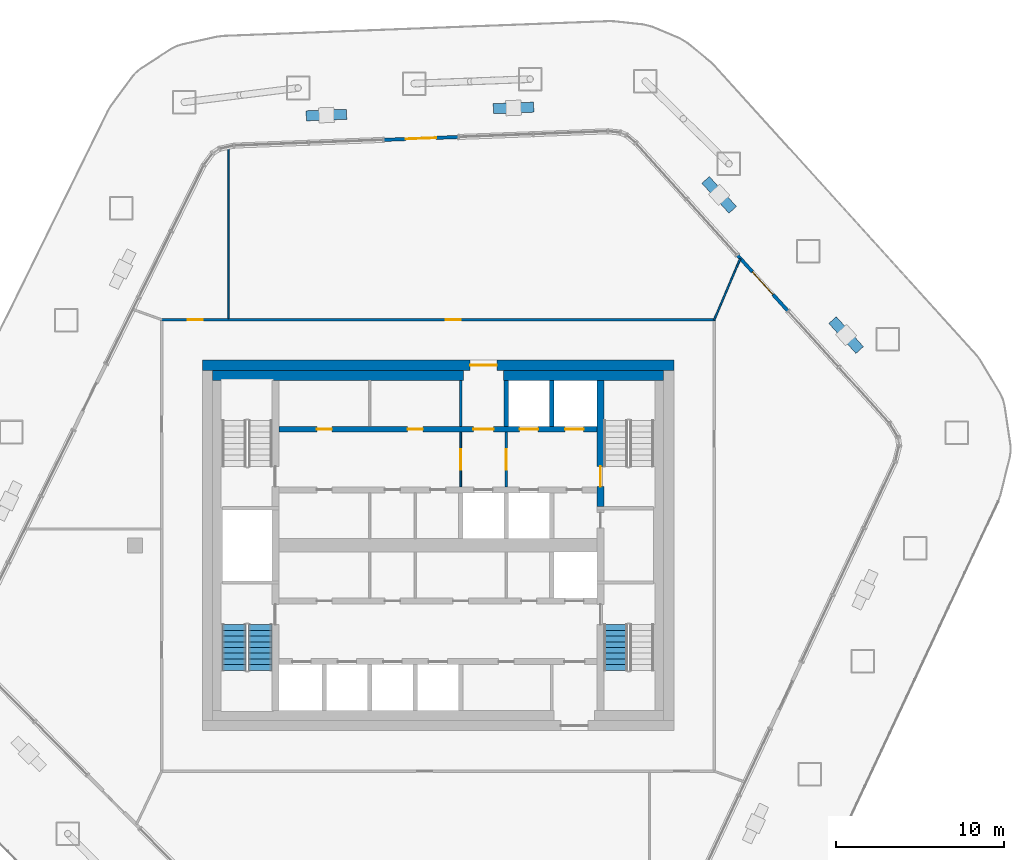
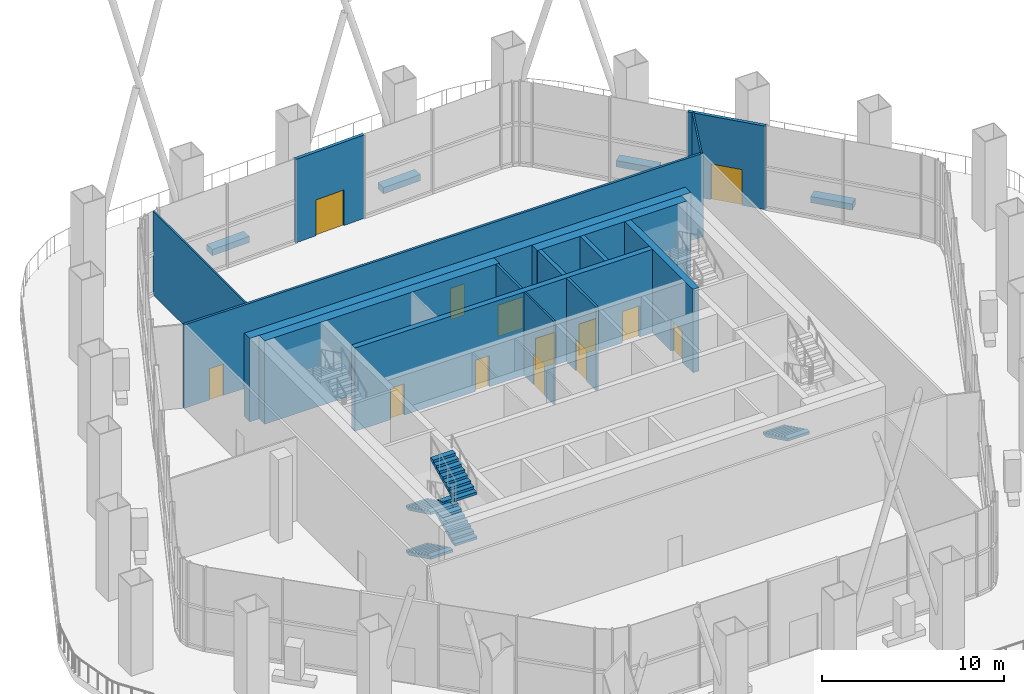
# One storey, part 14 of 20: 19 walls, 13 doors, 5 stair flights, 13 openings, 2 elements without a shape of their own.
"""IFC4 building model written with IfcOpenShell, lengths in metres."""

from ifc_helpers import new_model, si_unit, direction, frame, frame_2d, origin, place, context, subcontext, project, spatial, polyline, rectangle, outline, extrude, material, layer, layer_set, type_object, element, fill, aggregate, save


model = new_model("IFC4")

# Units and contexts
model_context = context("Model", 3, precision=1e-05, world=origin(), true_north=direction((0.0, 1.0)))
body_context = subcontext(model_context, "Body", "Model", "MODEL_VIEW")
ifc_project = project(units=[si_unit("LENGTHUNIT", "METRE"), si_unit("AREAUNIT", "SQUARE_METRE"), si_unit("VOLUMEUNIT", "CUBIC_METRE"), si_unit("PLANEANGLEUNIT", "RADIAN"), si_unit("MASSUNIT", "GRAM", prefix="KILO")], contexts=[model_context])

# Site, building, storey
site_placement = place(None, origin())
site = spatial("IfcSite", under=ifc_project, at=site_placement, CompositionType="ELEMENT")
building_placement = place(site_placement, origin())
building = spatial("IfcBuilding", under=site, at=building_placement, Name="Dongbaek Canopy Tower", CompositionType="ELEMENT")
storey_placement = place(building_placement, frame((0.0, 0.0, 353.0)))
storey = spatial("IfcBuildingStorey", under=building, at=storey_placement, Name="L76", CompositionType="ELEMENT", Elevation=353.0)

# Walls
ifc_material_1 = material(Name="Reinforced concrete C40/50 planter trough with soil", Category="concrete")
ifc_layer_1 = layer(ifc_material_1, 0.60009765625)
ifc_layer_set_1 = layer_set([ifc_layer_1], Name="Balcony planter trough")
wall_type_1 = type_object("IfcWallType", Name="Balcony planter trough", PredefinedType="SOLIDWALL", material=ifc_layer_set_1)
for number, where, z_axis, x_axis, name in (
    (1, (25.0400390625, 11.602294921875, 0.0), (0.0, 0.0, 1.0), (-0.671243577081, 0.741236844894, 0.0), "Deck planter L76 1"),
    (2, (17.5009765625, 19.92724609375, 0.0), (0.0, 0.0, 1.0), (-0.671299467497, 0.741186228244, 0.0), "Deck planter L76 2"),
    (3, (5.68359375, 26.027099609375, 0.0), (0.0, 0.0, 1.0), (-0.999268220076, -0.038249501247, 0.0), "Deck planter L76 3"),
    (4, (-5.426513671875, 25.60205078125, 0.0), (0.0, 0.0, 1.0), (-0.999268220076, -0.038249501247, 0.0), "Deck planter L76 4"),
):
    element("IfcWall", number, at=place(storey_placement, frame(where, z_axis=z_axis, x_axis=x_axis)), inside=storey, type_object=wall_type_1, Name=name, PredefinedType="SOLIDWALL", context=body_context, shape_type="SweptSolid", body=[
        extrude(rectangle(XDim=2.39990234375, YDim=0.60009765625, at=frame_2d((1.199951171875, 0.0))), origin(), (0.0, 0.0, 1.0), 0.419921875),
    ])

# Wall, openings, doors
ifc_material_2 = material(Name="Concrete C60/75", Category="concrete")
ifc_layer_2 = layer(ifc_material_2, 0.35009765625)
ifc_layer_set_2 = layer_set([ifc_layer_2], Name="Core lobby wall 350 Concrete C60/75")
wall_type_2 = type_object("IfcWallType", Name="Core lobby wall 350 Concrete C60/75", PredefinedType="SHEAR", material=ifc_layer_set_2)
wall_1_placement = place(storey_placement, frame((-9.449951171875, 6.89990234375, 0.0), z_axis=(0.0, 0.0, 1.0), x_axis=(1.0, 0.0, 0.0)))
wall_1 = element("IfcWall", 5, at=wall_1_placement, inside=storey, type_object=wall_type_2, Name="Core wall", PredefinedType="SHEAR", context=body_context, shape_type="SweptSolid", body=[
    extrude(rectangle(XDim=18.89990234375, YDim=0.35009765625, at=frame_2d((9.449951171875, 0.0))), origin(), (0.0, 0.0, 1.0), 5.60009765625),
])
opening_1_placement = place(wall_1_placement, frame((11.550048828125, 0.0, 0.0)))
opening_1 = element("IfcOpeningElement", 6, at=opening_1_placement, cuts=wall_1, Name="Opening L76-D010", PredefinedType="OPENING", context=body_context, shape_type="SweptSolid", body=[
    extrude(rectangle(XDim=1.199951171875, YDim=2.10009765625, at=frame_2d((0.60009765625, 1.050048828125))), frame((0.0, 0.18505859375, 0.0), z_axis=(0.0, -1.0, 0.0), x_axis=(1.0, 0.0, 0.0)), (0.0, 0.0, 1.0), 0.3701171875),
])
opening_2_placement = place(wall_1_placement, frame((14.300048828125, 0.0, 0.0)))
opening_2 = element("IfcOpeningElement", 7, at=opening_2_placement, cuts=wall_1, Name="Opening L76-D011", PredefinedType="OPENING", context=body_context, shape_type="SweptSolid", body=[
    extrude(rectangle(XDim=1.10009765625, YDim=2.10009765625, at=frame_2d((0.550048828125, 1.050048828125))), frame((0.0, 0.18505859375, 0.0), z_axis=(0.0, -1.0, 0.0), x_axis=(1.0, 0.0, 0.0)), (0.0, 0.0, 1.0), 0.3701171875),
])
opening_3_placement = place(wall_1_placement, frame((17.0, 0.0, 0.0)))
opening_3 = element("IfcOpeningElement", 8, at=opening_3_placement, cuts=wall_1, Name="Opening L76-D012", PredefinedType="OPENING", context=body_context, shape_type="SweptSolid", body=[
    extrude(rectangle(XDim=1.10009765625, YDim=2.10009765625, at=frame_2d((0.550048828125, 1.050048828125))), frame((0.0, 0.18505859375, 0.0), z_axis=(0.0, -1.0, 0.0), x_axis=(1.0, 0.0, 0.0)), (0.0, 0.0, 1.0), 0.3701171875),
])
opening_4_placement = place(wall_1_placement, frame((2.25, 0.0, 0.0)))
opening_4 = element("IfcOpeningElement", 9, at=opening_4_placement, cuts=wall_1, Name="Opening L76-D023", PredefinedType="OPENING", context=body_context, shape_type="SweptSolid", body=[
    extrude(rectangle(XDim=0.89990234375, YDim=2.10009765625, at=frame_2d((0.449951171875, 1.050048828125))), frame((0.0, 0.18505859375, 0.0), z_axis=(0.0, -1.0, 0.0), x_axis=(1.0, 0.0, 0.0)), (0.0, 0.0, 1.0), 0.3701171875),
])
opening_5_placement = place(wall_1_placement, frame((7.64990234375, 0.0, 0.0)))
opening_5 = element("IfcOpeningElement", 10, at=opening_5_placement, cuts=wall_1, Name="Opening L76-D024", PredefinedType="OPENING", context=body_context, shape_type="SweptSolid", body=[
    extrude(rectangle(XDim=0.89990234375, YDim=2.10009765625, at=frame_2d((0.449951171875, 1.050048828125))), frame((0.0, 0.18505859375, 0.0), z_axis=(0.0, -1.0, 0.0), x_axis=(1.0, 0.0, 0.0)), (0.0, 0.0, 1.0), 0.3701171875),
])
ifc_material_3 = material(Name="Steel", Category="steel")
door_type_1 = type_object("IfcDoorType", Name="Core room door 900 x 2100", OperationType="SINGLE_SWING_LEFT", PredefinedType="DOOR", material=ifc_material_3)
door_1_placement = place(opening_4_placement, origin())
door_1 = element("IfcDoor", 11, at=door_1_placement, inside=storey, type_object=door_type_1, Name="Door L76-D023", OperationType="SINGLE_SWING_RIGHT", OverallHeight=2.10009765625, OverallWidth=0.89990234375, PredefinedType="DOOR", context=body_context, shape_type="SweptSolid", body=[
    extrude(rectangle(XDim=0.89990234375, YDim=2.10009765625, at=frame_2d((0.449951171875, 1.050048828125))), frame((0.0, 0.02490234375, 0.0), z_axis=(0.0, -1.0, 0.0), x_axis=(1.0, 0.0, 0.0)), (0.0, 0.0, 1.0), 0.050048828125),
])
fill(opening_4, door_1)
door_2_placement = place(opening_5_placement, origin())
door_2 = element("IfcDoor", 12, at=door_2_placement, inside=storey, type_object=door_type_1, Name="Door L76-D024", OperationType="SINGLE_SWING_LEFT", OverallHeight=2.10009765625, OverallWidth=0.89990234375, PredefinedType="DOOR", context=body_context, shape_type="SweptSolid", body=[
    extrude(rectangle(XDim=0.89990234375, YDim=2.10009765625, at=frame_2d((0.449951171875, 1.050048828125))), frame((0.0, 0.02490234375, 0.0), z_axis=(0.0, -1.0, 0.0), x_axis=(1.0, 0.0, 0.0)), (0.0, 0.0, 1.0), 0.050048828125),
])
fill(opening_5, door_2)
ifc_material_4 = material(Name="Steel", Category="steel")
door_type_2 = type_object("IfcDoorType", Name="Fire lobby door 1200 x 2100", OperationType="SINGLE_SWING_LEFT", PredefinedType="DOOR", material=ifc_material_4)
door_3_placement = place(opening_1_placement, origin())
door_3 = element("IfcDoor", 13, at=door_3_placement, inside=storey, type_object=door_type_2, Name="Door L76-D010", OperationType="SINGLE_SWING_LEFT", OverallHeight=2.10009765625, OverallWidth=1.199951171875, PredefinedType="DOOR", context=body_context, shape_type="SweptSolid", body=[
    extrude(rectangle(XDim=1.199951171875, YDim=2.10009765625, at=frame_2d((0.60009765625, 1.050048828125))), frame((0.0, 0.02490234375, 0.0), z_axis=(0.0, -1.0, 0.0), x_axis=(1.0, 0.0, 0.0)), (0.0, 0.0, 1.0), 0.050048828125),
])
fill(opening_1, door_3)
ifc_material_5 = material(Name="Stainless steel", Category="steel")
door_type_3 = type_object("IfcDoorType", Name="Lift landing door 1100 x 2100", OperationType="DOUBLE_DOOR_SLIDING", PredefinedType="DOOR", material=ifc_material_5)
door_4_placement = place(opening_2_placement, origin())
door_4 = element("IfcDoor", 14, at=door_4_placement, inside=storey, type_object=door_type_3, Name="Landing door FF1", OperationType="DOUBLE_DOOR_SLIDING", OverallHeight=2.10009765625, OverallWidth=1.10009765625, PredefinedType="DOOR", context=body_context, shape_type="SweptSolid", body=[
    extrude(rectangle(XDim=1.10009765625, YDim=2.10009765625, at=frame_2d((0.550048828125, 1.050048828125))), frame((0.0, 0.02490234375, 0.0), z_axis=(0.0, -1.0, 0.0), x_axis=(1.0, 0.0, 0.0)), (0.0, 0.0, 1.0), 0.050048828125),
])
fill(opening_2, door_4)
door_5_placement = place(opening_3_placement, origin())
door_5 = element("IfcDoor", 15, at=door_5_placement, inside=storey, type_object=door_type_3, Name="Landing door FF2", OperationType="DOUBLE_DOOR_SLIDING", OverallHeight=2.10009765625, OverallWidth=1.10009765625, PredefinedType="DOOR", context=body_context, shape_type="SweptSolid", body=[
    extrude(rectangle(XDim=1.10009765625, YDim=2.10009765625, at=frame_2d((0.550048828125, 1.050048828125))), frame((0.0, 0.02490234375, 0.0), z_axis=(0.0, -1.0, 0.0), x_axis=(1.0, 0.0, 0.0)), (0.0, 0.0, 1.0), 0.050048828125),
])
fill(opening_3, door_5)

# Wall, opening, door
ifc_material_6 = material(Name="Concrete C80/95", Category="concrete")
ifc_layer_3 = layer(ifc_material_6, 0.60009765625)
ifc_layer_set_3 = layer_set([ifc_layer_3], Name="Core outer wall 600 Concrete C80/95")
wall_type_3 = type_object("IfcWallType", Name="Core outer wall 600 Concrete C80/95", PredefinedType="SHEAR", material=ifc_layer_set_3)
wall_2_placement = place(storey_placement, frame((-14.0, 10.699951171875, 0.0), z_axis=(0.0, 0.0, 1.0), x_axis=(1.0, 0.0, 0.0)))
wall_2 = element("IfcWall", 16, at=wall_2_placement, inside=storey, type_object=wall_type_3, Name="Core wall", PredefinedType="SHEAR", context=body_context, shape_type="SweptSolid", body=[
    extrude(rectangle(XDim=28.0, YDim=0.60009765625, at=frame_2d((14.0, 0.0))), origin(), (0.0, 0.0, 1.0), 5.60009765625),
])
opening_6_placement = place(wall_2_placement, frame((15.89990234375, 0.0, 0.0)))
opening_6 = element("IfcOpeningElement", 17, at=opening_6_placement, cuts=wall_2, Name="Opening L76-D009", PredefinedType="OPENING", context=body_context, shape_type="SweptSolid", body=[
    extrude(rectangle(XDim=1.60009765625, YDim=2.10009765625, at=frame_2d((0.800048828125, 1.050048828125))), frame((0.0, 0.31005859375, 0.0), z_axis=(0.0, -1.0, 0.0), x_axis=(1.0, 0.0, 0.0)), (0.0, 0.0, 1.0), 0.6201171875),
])
ifc_material_7 = material(Name="Steel", Category="steel")
door_type_4 = type_object("IfcDoorType", Name="Core exit door 1600 x 2100", OperationType="DOUBLE_DOOR_SINGLE_SWING", PredefinedType="DOOR", material=ifc_material_7)
door_6_placement = place(opening_6_placement, origin())
door_6 = element("IfcDoor", 18, at=door_6_placement, inside=storey, type_object=door_type_4, Name="Core exit door", OperationType="DOUBLE_DOOR_SINGLE_SWING", OverallHeight=2.10009765625, OverallWidth=1.60009765625, PredefinedType="DOOR", context=body_context, shape_type="SweptSolid", body=[
    extrude(rectangle(XDim=1.60009765625, YDim=2.10009765625, at=frame_2d((0.800048828125, 1.050048828125))), frame((0.0, 0.02490234375, 0.0), z_axis=(0.0, -1.0, 0.0), x_axis=(1.0, 0.0, 0.0)), (0.0, 0.0, 1.0), 0.050048828125),
])
fill(opening_6, door_6)

# Walls
ifc_material_8 = material(Name="Concrete C60/75", Category="concrete")
ifc_layer_4 = layer(ifc_material_8, 0.60009765625)
ifc_layer_set_4 = layer_set([ifc_layer_4], Name="Core wall lining 600 Concrete C60/75")
wall_type_4 = type_object("IfcWallType", Name="Core wall lining 600 Concrete C60/75", PredefinedType="SHEAR", material=ifc_layer_set_4)
wall_3_placement = place(storey_placement, frame((-13.39990234375, 10.10009765625, 0.0), z_axis=(0.0, 0.0, 1.0), x_axis=(1.0, 0.0, 0.0)))
element("IfcWall", 19, at=wall_3_placement, inside=storey, type_object=wall_type_4, Name="Core wall lining", PredefinedType="SHEAR", context=body_context, shape_type="SweptSolid", body=[
    extrude(rectangle(XDim=14.89990234375, YDim=0.60009765625, at=frame_2d((7.449951171875, 0.0))), origin(), (0.0, 0.0, 1.0), 5.60009765625),
])
wall_4_placement = place(storey_placement, frame((3.89990234375, 10.10009765625, 0.0), z_axis=(0.0, 0.0, 1.0), x_axis=(1.0, 0.0, 0.0)))
element("IfcWall", 20, at=wall_4_placement, inside=storey, type_object=wall_type_4, Name="Core wall lining", PredefinedType="SHEAR", context=body_context, shape_type="SweptSolid", body=[
    extrude(rectangle(XDim=9.5, YDim=0.60009765625, at=frame_2d((4.75, 0.0))), origin(), (0.0, 0.0, 1.0), 5.60009765625),
])

# Wall, opening, door
ifc_material_9 = material(Name="Aluminium window wall", Category="aluminium")
ifc_layer_5 = layer(ifc_material_9, 0.199951171875)
ifc_layer_set_5 = layer_set([ifc_layer_5], Name="Entrance wall 200")
wall_type_5 = type_object("IfcWallType", Name="Entrance wall 200", PredefinedType="SOLIDWALL", material=ifc_layer_set_5)
wall_5_placement = place(storey_placement, frame((17.771240234375, 17.2451171875, 0.0), z_axis=(0.0, 0.0, 1.0), x_axis=(0.67127041935, -0.741212536392, 0.0)))
wall_5 = element("IfcWall", 21, at=wall_5_placement, inside=storey, type_object=wall_type_5, Name="Lounge entrance wall F0 3", PredefinedType="SOLIDWALL", context=body_context, shape_type="SweptSolid", body=[
    extrude(rectangle(XDim=4.492431640625, YDim=0.199951171875, at=frame_2d((2.24609375, 0.0))), origin(), (0.0, 0.0, 1.0), 5.60009765625),
])
opening_7_placement = place(wall_5_placement, frame((1.34619140625, 0.0, 0.0)))
opening_7 = element("IfcOpeningElement", 22, at=opening_7_placement, cuts=wall_5, Name="Opening L76-D973", PredefinedType="OPENING", context=body_context, shape_type="SweptSolid", body=[
    extrude(rectangle(XDim=1.800048828125, YDim=2.39990234375, at=frame_2d((0.89990234375, 1.199951171875))), frame((0.0, 0.10986328125, 0.0), z_axis=(0.0, -1.0, 0.0), x_axis=(1.0, 0.0, 0.0)), (0.0, 0.0, 1.0), 0.219970703125),
])
ifc_material_10 = material(Name="Clear glazing in aluminium frame", Category="aluminium")
door_type_5 = type_object("IfcDoorType", Name="Lounge door LD1 1800 x 2400", OperationType="DOUBLE_DOOR_SINGLE_SWING", PredefinedType="DOOR", material=ifc_material_10)
door_7_placement = place(opening_7_placement, origin())
door_7 = element("IfcDoor", 23, at=door_7_placement, inside=storey, type_object=door_type_5, Name="Deck door L76-D973", OperationType="SINGLE_SWING_LEFT", OverallHeight=2.39990234375, OverallWidth=1.800048828125, PredefinedType="DOOR", context=body_context, shape_type="SweptSolid", body=[
    extrude(rectangle(XDim=1.800048828125, YDim=2.39990234375, at=frame_2d((0.89990234375, 1.199951171875))), frame((0.0, 0.02490234375, 0.0), z_axis=(0.0, -1.0, 0.0), x_axis=(1.0, 0.0, 0.0)), (0.0, 0.0, 1.0), 0.050048828125),
])
fill(opening_7, door_7)

wall_6_placement = place(storey_placement, frame((-3.2314453125, 24.084716796875, 0.0), z_axis=(0.0, 0.0, 1.0), x_axis=(0.999267728071, 0.038262352715, 0.0)))
wall_6 = element("IfcWall", 24, at=wall_6_placement, inside=storey, type_object=wall_type_5, Name="Lounge entrance wall F1 3", PredefinedType="SOLIDWALL", context=body_context, shape_type="SweptSolid", body=[
    extrude(rectangle(XDim=4.447265625, YDim=0.199951171875, at=frame_2d((2.2236328125, 0.0))), origin(), (0.0, 0.0, 1.0), 5.60009765625),
])
opening_8_placement = place(wall_6_placement, frame((1.32373046875, 0.0, 0.0)))
opening_8 = element("IfcOpeningElement", 25, at=opening_8_placement, cuts=wall_6, Name="Opening L76-D974", PredefinedType="OPENING", context=body_context, shape_type="SweptSolid", body=[
    extrude(rectangle(XDim=1.800048828125, YDim=2.39990234375, at=frame_2d((0.89990234375, 1.199951171875))), frame((0.0, 0.10986328125, 0.0), z_axis=(0.0, -1.0, 0.0), x_axis=(1.0, 0.0, 0.0)), (0.0, 0.0, 1.0), 0.219970703125),
])
door_8_placement = place(opening_8_placement, origin())
door_8 = element("IfcDoor", 26, at=door_8_placement, inside=storey, type_object=door_type_5, Name="Deck door L76-D974", OperationType="SINGLE_SWING_LEFT", OverallHeight=2.39990234375, OverallWidth=1.800048828125, PredefinedType="DOOR", context=body_context, shape_type="SweptSolid", body=[
    extrude(rectangle(XDim=1.800048828125, YDim=2.39990234375, at=frame_2d((0.89990234375, 1.199951171875))), frame((0.0, 0.02490234375, 0.0), z_axis=(0.0, -1.0, 0.0), x_axis=(1.0, 0.0, 0.0)), (0.0, 0.0, 1.0), 0.050048828125),
])
fill(opening_8, door_8)

# Wall, openings, doors
ifc_material_11 = material(Name="Gypsum board partition, steel stud, 2 x 15 mm fire board", Category="steel")
ifc_layer_6 = layer(ifc_material_11, 0.14990234375)
ifc_layer_set_6 = layer_set([ifc_layer_6], Name="Fire-rated partition 150 gypsum board")
wall_type_6 = type_object("IfcWallType", Name="Fire-rated partition 150 gypsum board", PredefinedType="PARTITIONING", material=ifc_layer_set_6)
wall_7_placement = place(storey_placement, frame((-16.47509765625, 13.39990234375, 0.0), z_axis=(0.0, 0.0, 1.0), x_axis=(1.0, 0.0, 0.0)))
wall_7 = element("IfcWall", 27, at=wall_7_placement, inside=storey, type_object=wall_type_6, Name="Corridor partition", PredefinedType="PARTITIONING", context=body_context, shape_type="SweptSolid", body=[
    extrude(rectangle(XDim=32.9501953125, YDim=0.14990234375, at=frame_2d((16.47509765625, 0.0))), origin(), (0.0, 0.0, 1.0), 5.60009765625),
])
opening_9_placement = place(wall_7_placement, frame((16.925537109375, 0.0, 0.0)))
opening_9 = element("IfcOpeningElement", 28, at=opening_9_placement, cuts=wall_7, Name="Opening L76-D005", PredefinedType="OPENING", context=body_context, shape_type="SweptSolid", body=[
    extrude(rectangle(XDim=0.89990234375, YDim=2.10009765625, at=frame_2d((0.449951171875, 1.050048828125))), frame((0.0, 0.0849609375, 0.0), z_axis=(0.0, -1.0, 0.0), x_axis=(1.0, 0.0, 0.0)), (0.0, 0.0, 1.0), 0.169921875),
])
opening_10_placement = place(wall_7_placement, frame((1.600341796875, 0.0, 0.0)))
opening_10 = element("IfcOpeningElement", 29, at=opening_10_placement, cuts=wall_7, Name="Opening L76-D006", PredefinedType="OPENING", context=body_context, shape_type="SweptSolid", body=[
    extrude(rectangle(XDim=0.89990234375, YDim=2.10009765625, at=frame_2d((0.449951171875, 1.050048828125))), frame((0.0, 0.0849609375, 0.0), z_axis=(0.0, -1.0, 0.0), x_axis=(1.0, 0.0, 0.0)), (0.0, 0.0, 1.0), 0.169921875),
])
ifc_material_12 = material(Name="Timber veneered door leaf", Category="wood")
door_type_6 = type_object("IfcDoorType", Name="Room door 900 x 2100", OperationType="SINGLE_SWING_LEFT", PredefinedType="DOOR", material=ifc_material_12)
door_9_placement = place(opening_9_placement, origin())
door_9 = element("IfcDoor", 30, at=door_9_placement, inside=storey, type_object=door_type_6, Name="Door L76-D005", OperationType="SINGLE_SWING_RIGHT", OverallHeight=2.10009765625, OverallWidth=0.89990234375, PredefinedType="DOOR", context=body_context, shape_type="SweptSolid", body=[
    extrude(rectangle(XDim=0.89990234375, YDim=2.10009765625, at=frame_2d((0.449951171875, 1.050048828125))), frame((0.0, 0.02490234375, 0.0), z_axis=(0.0, -1.0, 0.0), x_axis=(1.0, 0.0, 0.0)), (0.0, 0.0, 1.0), 0.050048828125),
])
fill(opening_9, door_9)
door_10_placement = place(opening_10_placement, origin())
door_10 = element("IfcDoor", 31, at=door_10_placement, inside=storey, type_object=door_type_6, Name="Door L76-D006", OperationType="SINGLE_SWING_LEFT", OverallHeight=2.10009765625, OverallWidth=0.89990234375, PredefinedType="DOOR", context=body_context, shape_type="SweptSolid", body=[
    extrude(rectangle(XDim=0.89990234375, YDim=2.10009765625, at=frame_2d((0.449951171875, 1.050048828125))), frame((0.0, 0.02490234375, 0.0), z_axis=(0.0, -1.0, 0.0), x_axis=(1.0, 0.0, 0.0)), (0.0, 0.0, 1.0), 0.050048828125),
])
fill(opening_10, door_10)

# Wall, opening, door
wall_8_placement = place(storey_placement, frame((4.050048828125, 6.72509765625, 0.0), z_axis=(0.0, 0.0, 1.0), x_axis=(0.0, -1.0, 0.0)))
wall_8 = element("IfcWall", 32, at=wall_8_placement, inside=storey, type_object=wall_type_6, Name="Fire lobby partition", PredefinedType="PARTITIONING", context=body_context, shape_type="SweptSolid", body=[
    extrude(rectangle(XDim=3.25, YDim=0.14990234375, at=frame_2d((1.625, 0.0))), origin(), (0.0, 0.0, 1.0), 5.60009765625),
])
opening_11_placement = place(wall_8_placement, frame((1.02490234375, 0.0, 0.0)))
opening_11 = element("IfcOpeningElement", 33, at=opening_11_placement, cuts=wall_8, Name="Opening L76-D038", PredefinedType="OPENING", context=body_context, shape_type="SweptSolid", body=[
    extrude(rectangle(XDim=1.199951171875, YDim=2.10009765625, at=frame_2d((0.60009765625, 1.050048828125))), frame((0.0, 0.0849609375, 0.0), z_axis=(0.0, -1.0, 0.0), x_axis=(1.0, 0.0, 0.0)), (0.0, 0.0, 1.0), 0.169921875),
])
door_11_placement = place(opening_11_placement, origin())
door_11 = element("IfcDoor", 34, at=door_11_placement, inside=storey, type_object=door_type_2, Name="Door L76-D038", OperationType="SINGLE_SWING_RIGHT", OverallHeight=2.10009765625, OverallWidth=1.199951171875, PredefinedType="DOOR", context=body_context, shape_type="SweptSolid", body=[
    extrude(rectangle(XDim=1.199951171875, YDim=2.10009765625, at=frame_2d((0.60009765625, 1.050048828125))), frame((0.0, 0.02490234375, 0.0), z_axis=(0.0, -1.0, 0.0), x_axis=(1.0, 0.0, 0.0)), (0.0, 0.0, 1.0), 0.050048828125),
])
fill(opening_11, door_11)

# Walls
wall_9_placement = place(storey_placement, frame((1.35009765625, 7.074951171875, 0.0), z_axis=(0.0, 0.0, 1.0), x_axis=(0.0, 1.0, 0.0)))
element("IfcWall", 35, at=wall_9_placement, inside=storey, type_object=wall_type_6, Name="Fire lobby partition", PredefinedType="PARTITIONING", context=body_context, shape_type="SweptSolid", body=[
    extrude(rectangle(XDim=2.72509765625, YDim=0.14990234375, at=frame_2d((1.362548828125, 0.0))), origin(), (0.0, 0.0, 1.0), 5.60009765625),
])
ifc_material_13 = material(Name="Concrete C40/50", Category="concrete")
ifc_layer_7 = layer(ifc_material_13, 0.25)
ifc_layer_set_7 = layer_set([ifc_layer_7], Name="Lift shaft wall 250 Concrete C40/50")
wall_type_7 = type_object("IfcWallType", Name="Lift shaft wall 250 Concrete C40/50", PredefinedType="SOLIDWALL", material=ifc_layer_set_7)
for number, where, z_axis, x_axis, name in (
    (36, (6.75, 7.074951171875, 0.0), (0.0, 0.0, 1.0), (0.0, 1.0, 0.0), "Lift shaft wall"),
    (37, (4.050048828125, 7.074951171875, 0.0), (0.0, 0.0, 1.0), (0.0, 1.0, 0.0), "Lift shaft wall"),
):
    element("IfcWall", number, at=place(storey_placement, frame(where, z_axis=z_axis, x_axis=x_axis)), inside=storey, type_object=wall_type_7, Name=name, PredefinedType="SOLIDWALL", context=body_context, shape_type="SweptSolid", body=[
        extrude(rectangle(XDim=2.72509765625, YDim=0.25, at=frame_2d((1.362548828125, 0.0))), origin(), (0.0, 0.0, 1.0), 5.60009765625),
    ])
ifc_material_14 = material(Name="Gypsum board partition, steel stud, 2 x 12.5 mm board", Category="steel")
ifc_layer_8 = layer(ifc_material_14, 0.10009765625)
ifc_layer_set_8 = layer_set([ifc_layer_8], Name="Partition 100 gypsum board")
wall_type_8 = type_object("IfcWallType", Name="Partition 100 gypsum board", PredefinedType="PARTITIONING", material=ifc_layer_set_8)
wall_10_placement = place(storey_placement, frame((16.400146484375, 13.39990234375, 0.0), z_axis=(0.0, 0.0, 1.0), x_axis=(0.392341578788, 0.919819594026, 0.0)))
element("IfcWall", 38, at=wall_10_placement, inside=storey, type_object=wall_type_8, Name="Partition", PredefinedType="PARTITIONING", context=body_context, shape_type="SweptSolid", body=[
    extrude(rectangle(XDim=3.942138671875, YDim=0.10009765625, at=frame_2d((1.97119140625, 0.0))), origin(), (0.0, 0.0, 1.0), 5.60009765625),
])
wall_11_placement = place(storey_placement, frame((-12.448974609375, 13.47509765625, 0.0), z_axis=(0.0, 0.0, 1.0), x_axis=(0.0, 1.0, 0.0)))
element("IfcWall", 39, at=wall_11_placement, inside=storey, type_object=wall_type_8, Name="Partition", PredefinedType="PARTITIONING", context=body_context, shape_type="SweptSolid", body=[
    extrude(rectangle(XDim=10.1748046875, YDim=0.10009765625, at=frame_2d((5.08740234375, 0.0))), origin(), (0.0, 0.0, 1.0), 5.60009765625),
])

# Wall, opening, door
wall_12_placement = place(storey_placement, frame((1.35009765625, 6.72509765625, 0.0), z_axis=(0.0, 0.0, 1.0), x_axis=(0.0, -1.0, 0.0)))
wall_12 = element("IfcWall", 40, at=wall_12_placement, inside=storey, type_object=wall_type_8, Name="Core partition", PredefinedType="PARTITIONING", context=body_context, shape_type="SweptSolid", body=[
    extrude(rectangle(XDim=3.25, YDim=0.10009765625, at=frame_2d((1.625, 0.0))), origin(), (0.0, 0.0, 1.0), 5.60009765625),
])
opening_12_placement = place(wall_12_placement, frame((1.02490234375, 0.0, 0.0)))
opening_12 = element("IfcOpeningElement", 41, at=opening_12_placement, cuts=wall_12, Name="Opening L76-D037", PredefinedType="OPENING", context=body_context, shape_type="SweptSolid", body=[
    extrude(rectangle(XDim=1.199951171875, YDim=2.10009765625, at=frame_2d((0.60009765625, 1.050048828125))), frame((0.0, 0.06005859375, 0.0), z_axis=(0.0, -1.0, 0.0), x_axis=(1.0, 0.0, 0.0)), (0.0, 0.0, 1.0), 0.1201171875),
])
door_12_placement = place(opening_12_placement, origin())
door_12 = element("IfcDoor", 42, at=door_12_placement, inside=storey, type_object=door_type_2, Name="Door L76-D037", OperationType="SINGLE_SWING_LEFT", OverallHeight=2.10009765625, OverallWidth=1.199951171875, PredefinedType="DOOR", context=body_context, shape_type="SweptSolid", body=[
    extrude(rectangle(XDim=1.199951171875, YDim=2.10009765625, at=frame_2d((0.60009765625, 1.050048828125))), frame((0.0, 0.02490234375, 0.0), z_axis=(0.0, -1.0, 0.0), x_axis=(1.0, 0.0, 0.0)), (0.0, 0.0, 1.0), 0.050048828125),
])
fill(opening_12, door_12)

ifc_material_15 = material(Name="Concrete C60/75", Category="concrete")
ifc_layer_9 = layer(ifc_material_15, 0.39990234375)
ifc_layer_set_9 = layer_set([ifc_layer_9], Name="Stair wall 400 Concrete C60/75")
wall_type_9 = type_object("IfcWallType", Name="Stair wall 400 Concrete C60/75", PredefinedType="SHEAR", material=ifc_layer_set_9)
wall_13_placement = place(storey_placement, frame((9.64990234375, 9.800048828125, 0.0), z_axis=(0.0, 0.0, 1.0), x_axis=(0.0, -1.0, 0.0)))
wall_13 = element("IfcWall", 43, at=wall_13_placement, inside=storey, type_object=wall_type_9, Name="Stair wall", PredefinedType="SHEAR", context=body_context, shape_type="SweptSolid", body=[
    extrude(rectangle(XDim=7.5, YDim=0.39990234375, at=frame_2d((3.75, 0.0))), origin(), (0.0, 0.0, 1.0), 5.60009765625),
])
opening_13_placement = place(wall_13_placement, frame((5.10009765625, 0.0, 0.0)))
opening_13 = element("IfcOpeningElement", 44, at=opening_13_placement, cuts=wall_13, Name="Opening L76-D033", PredefinedType="OPENING", context=body_context, shape_type="SweptSolid", body=[
    extrude(rectangle(XDim=1.199951171875, YDim=2.10009765625, at=frame_2d((0.60009765625, 1.050048828125))), frame((0.0, 0.2099609375, 0.0), z_axis=(0.0, -1.0, 0.0), x_axis=(1.0, 0.0, 0.0)), (0.0, 0.0, 1.0), 0.419921875),
])
ifc_material_16 = material(Name="Steel", Category="steel")
door_type_7 = type_object("IfcDoorType", Name="Stair door 1200 x 2100", OperationType="SINGLE_SWING_LEFT", PredefinedType="DOOR", material=ifc_material_16)
door_13_placement = place(opening_13_placement, origin())
door_13 = element("IfcDoor", 45, at=door_13_placement, inside=storey, type_object=door_type_7, Name="Stair A door", OperationType="SINGLE_SWING_LEFT", OverallHeight=2.10009765625, OverallWidth=1.199951171875, PredefinedType="DOOR", context=body_context, shape_type="SweptSolid", body=[
    extrude(rectangle(XDim=1.199951171875, YDim=2.10009765625, at=frame_2d((0.60009765625, 1.050048828125))), frame((0.0, 0.02490234375, 0.0), z_axis=(0.0, -1.0, 0.0), x_axis=(1.0, 0.0, 0.0)), (0.0, 0.0, 1.0), 0.050048828125),
])
fill(opening_13, door_13)

# Stair, stair flight
ifc_material_17 = material(Name="Concrete C40/50", Category="concrete")
stair_type = type_object("IfcStairType", Name="Core exit stair", PredefinedType="HALF_TURN_STAIR", material=ifc_material_17)
stair_1_placement = place(storey_placement, origin())
stair_1 = element("IfcStair", 46, at=stair_1_placement, inside=storey, type_object=stair_type, Name="L76 exit stair B", PredefinedType="HALF_TURN_STAIR")
ifc_material_18 = material(Name="Concrete C40/50", Category="concrete")
ifc_layer_10 = layer(ifc_material_18, 0.14990234375)
ifc_layer_set_10 = layer_set([ifc_layer_10], Name="Core stair flight 150 waist")
stair_flight_type = type_object("IfcStairFlightType", Name="Core stair flight 150 waist", PredefinedType="STRAIGHT", material=ifc_layer_set_10)
stair_flight_1_placement = place(storey_placement, frame((10.550048828125, -4.699951171875, 0.0), z_axis=(0.0, 0.0, 1.0), x_axis=(0.0, -1.0, 0.0)))
stair_flight_1 = element("IfcStairFlight", 47, at=stair_flight_1_placement, type_object=stair_flight_type, Name="ST-B flight 1", NumberOfRisers=9, NumberOfTreads=8, PredefinedType="STRAIGHT", RiserHeight=0.166666667, TreadLength=0.34, context=body_context, shape_type="SweptSolid", body=[
    extrude(outline(polyline([(0.0, 0.0), (0.0, 0.166748046875), (0.340087890625, 0.166748046875), (0.340087890625, 0.333251953125), (0.679931640625, 0.333251953125), (0.679931640625, 0.5), (1.02001953125, 0.5), (1.02001953125, 0.666748046875), (1.360107421875, 0.666748046875), (1.360107421875, 0.833251953125), (1.699951171875, 0.833251953125), (1.699951171875, 1.0), (2.0400390625, 1.0), (2.0400390625, 1.166748046875), (2.3798828125, 1.166748046875), (2.3798828125, 1.333251953125), (2.719970703125, 1.333251953125), (2.719970703125, 1.5), (2.719970703125, 1.16650390625), (0.340576171875, 0.0), (0.0, 0.0)])), frame((0.0, 0.699951171875, 0.0), z_axis=(0.0, -1.0, 0.0), x_axis=(1.0, 0.0, 0.0)), (0.0, 0.0, 1.0), 1.39990234375),
])
aggregate(stair_1, [stair_flight_1])

# Stair, stair flights
stair_2_placement = place(storey_placement, origin())
stair_2 = element("IfcStair", 48, at=stair_2_placement, inside=storey, type_object=stair_type, Name="L76 exit stair D", PredefinedType="HALF_TURN_STAIR")
stair_flight_2_placement = place(storey_placement, frame((-12.10009765625, -4.699951171875, 0.0), z_axis=(0.0, 0.0, 1.0), x_axis=(0.0, -1.0, 0.0)))
stair_flight_2 = element("IfcStairFlight", 49, at=stair_flight_2_placement, type_object=stair_flight_type, Name="ST-D flight 1", NumberOfRisers=9, NumberOfTreads=8, PredefinedType="STRAIGHT", RiserHeight=0.166666667, TreadLength=0.34, context=body_context, shape_type="SweptSolid", body=[
    extrude(outline(polyline([(0.0, 0.0), (0.0, 0.166748046875), (0.340087890625, 0.166748046875), (0.340087890625, 0.333251953125), (0.679931640625, 0.333251953125), (0.679931640625, 0.5), (1.02001953125, 0.5), (1.02001953125, 0.666748046875), (1.360107421875, 0.666748046875), (1.360107421875, 0.833251953125), (1.699951171875, 0.833251953125), (1.699951171875, 1.0), (2.0400390625, 1.0), (2.0400390625, 1.166748046875), (2.3798828125, 1.166748046875), (2.3798828125, 1.333251953125), (2.719970703125, 1.333251953125), (2.719970703125, 1.5), (2.719970703125, 1.16650390625), (0.340576171875, 0.0), (0.0, 0.0)])), frame((0.0, 0.699951171875, 0.0), z_axis=(0.0, -1.0, 0.0), x_axis=(1.0, 0.0, 0.0)), (0.0, 0.0, 1.0), 1.39990234375),
])
stair_flight_3_placement = place(storey_placement, frame((-10.550048828125, -7.419921875, 1.5), z_axis=(0.0, 0.0, 1.0), x_axis=(0.0, 1.0, 0.0)))
stair_flight_3 = element("IfcStairFlight", 50, at=stair_flight_3_placement, type_object=stair_flight_type, Name="ST-D flight 2", NumberOfRisers=9, NumberOfTreads=8, PredefinedType="STRAIGHT", RiserHeight=0.166666667, TreadLength=0.34, context=body_context, shape_type="SweptSolid", body=[
    extrude(outline(polyline([(0.0, 0.0), (0.0, 0.166748046875), (0.340087890625, 0.166748046875), (0.340087890625, 0.333251953125), (0.679931640625, 0.333251953125), (0.679931640625, 0.5), (1.02001953125, 0.5), (1.02001953125, 0.666748046875), (1.360107421875, 0.666748046875), (1.360107421875, 0.833251953125), (1.699951171875, 0.833251953125), (1.699951171875, 1.0), (2.0400390625, 1.0), (2.0400390625, 1.166748046875), (2.3798828125, 1.166748046875), (2.3798828125, 1.333251953125), (2.719970703125, 1.333251953125), (2.719970703125, 1.5), (2.719970703125, 1.16650390625), (0.340576171875, 0.0), (0.0, 0.0)])), frame((0.0, 0.699951171875, 0.0), z_axis=(0.0, -1.0, 0.0), x_axis=(1.0, 0.0, 0.0)), (0.0, 0.0, 1.0), 1.39990234375),
])
stair_flight_4_placement = place(storey_placement, frame((-12.10009765625, -4.699951171875, 3.0), z_axis=(0.0, 0.0, 1.0), x_axis=(0.0, -1.0, 0.0)))
stair_flight_4 = element("IfcStairFlight", 51, at=stair_flight_4_placement, type_object=stair_flight_type, Name="ST-D flight 3", NumberOfRisers=9, NumberOfTreads=8, PredefinedType="STRAIGHT", RiserHeight=0.166666667, TreadLength=0.34, context=body_context, shape_type="SweptSolid", body=[
    extrude(outline(polyline([(0.0, 0.0), (0.0, 0.166748046875), (0.340087890625, 0.166748046875), (0.340087890625, 0.333251953125), (0.679931640625, 0.333251953125), (0.679931640625, 0.5), (1.02001953125, 0.5), (1.02001953125, 0.666748046875), (1.360107421875, 0.666748046875), (1.360107421875, 0.833251953125), (1.699951171875, 0.833251953125), (1.699951171875, 1.0), (2.0400390625, 1.0), (2.0400390625, 1.166748046875), (2.3798828125, 1.166748046875), (2.3798828125, 1.333251953125), (2.719970703125, 1.333251953125), (2.719970703125, 1.5), (2.719970703125, 1.16650390625), (0.340576171875, 0.0), (0.0, 0.0)])), frame((0.0, 0.699951171875, 0.0), z_axis=(0.0, -1.0, 0.0), x_axis=(1.0, 0.0, 0.0)), (0.0, 0.0, 1.0), 1.39990234375),
])
stair_flight_5_placement = place(storey_placement, frame((-10.550048828125, -7.419921875, 4.5), z_axis=(0.0, 0.0, 1.0), x_axis=(0.0, 1.0, 0.0)))
stair_flight_5 = element("IfcStairFlight", 52, at=stair_flight_5_placement, type_object=stair_flight_type, Name="ST-D flight 4", NumberOfRisers=9, NumberOfTreads=8, PredefinedType="STRAIGHT", RiserHeight=0.166666667, TreadLength=0.34, context=body_context, shape_type="SweptSolid", body=[
    extrude(outline(polyline([(0.0, 0.0), (0.0, 0.166748046875), (0.340087890625, 0.166748046875), (0.340087890625, 0.333251953125), (0.679931640625, 0.333251953125), (0.679931640625, 0.5), (1.02001953125, 0.5), (1.02001953125, 0.666748046875), (1.360107421875, 0.666748046875), (1.360107421875, 0.833251953125), (1.699951171875, 0.833251953125), (1.699951171875, 1.0), (2.0400390625, 1.0), (2.0400390625, 1.166748046875), (2.3798828125, 1.166748046875), (2.3798828125, 1.333251953125), (2.719970703125, 1.333251953125), (2.719970703125, 1.5), (2.719970703125, 1.16650390625), (0.340576171875, 0.0), (0.0, 0.0)])), frame((0.0, 0.699951171875, 0.0), z_axis=(0.0, -1.0, 0.0), x_axis=(1.0, 0.0, 0.0)), (0.0, 0.0, 1.0), 1.39990234375),
])
aggregate(stair_2, [stair_flight_2, stair_flight_3, stair_flight_4, stair_flight_5])

save(model, "model.ifc")
